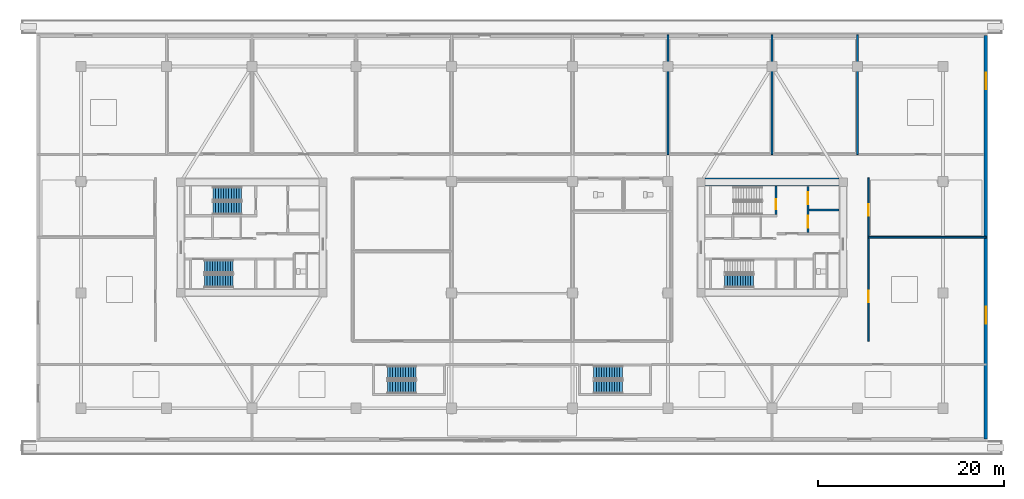
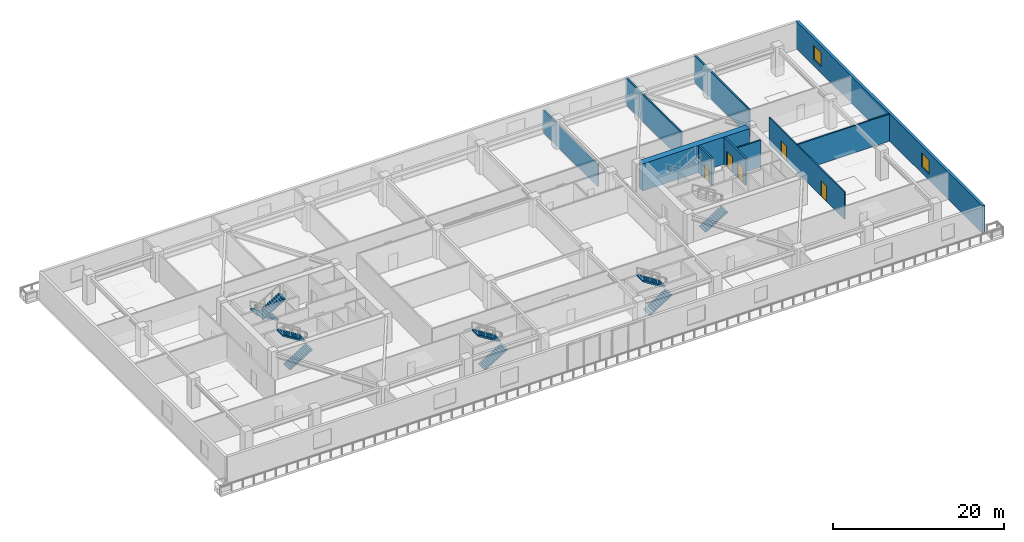
# One storey, part 12 of 23: 10 walls, 9 stair flights, 5 doors, 2 windows, 7 openings, 5 elements without a shape of their own.
"""IFC4 building model written with IfcOpenShell, lengths in metres."""

from ifc_helpers import new_model, si_unit, direction, frame, frame_2d, origin, place, context, subcontext, project, spatial, polyline, rectangle, outline, extrude, source, transform, mapped, material, layer, layer_set, type_object, type_shapes, element, fill, aggregate, save


model = new_model("IFC4")

# Units and contexts
model_context = context("Model", 3, precision=1e-05, world=origin(), true_north=direction((0.0, 1.0)))
body_context = subcontext(model_context, "Body", "Model", "MODEL_VIEW")
ifc_project = project(units=[si_unit("LENGTHUNIT", "METRE"), si_unit("AREAUNIT", "SQUARE_METRE"), si_unit("VOLUMEUNIT", "CUBIC_METRE"), si_unit("PLANEANGLEUNIT", "RADIAN"), si_unit("MASSUNIT", "GRAM", prefix="KILO")], contexts=[model_context])

# Site, building, storey
site_placement = place(None, origin())
site = spatial("IfcSite", under=ifc_project, at=site_placement, CompositionType="ELEMENT")
building_placement = place(site_placement, origin())
building = spatial("IfcBuilding", under=site, at=building_placement, Name="Norrkilde Senior Care Towers", CompositionType="ELEMENT")
storey_placement = place(building_placement, frame((0.0, 0.0, 8.39990234375)))
storey = spatial("IfcBuildingStorey", under=building, at=storey_placement, Name="L02", CompositionType="ELEMENT", Elevation=8.39990234375)

# Wall
ifc_material_1 = material(Name="Concrete C60/75", Category="concrete")
ifc_layer_1 = layer(ifc_material_1, 0.85009765625)
ifc_layer_set_1 = layer_set([ifc_layer_1], Name="Concrete C60/75")
wall_type_1 = type_object("IfcWallType", Name="Core Shear Wall Z1 850", PredefinedType="SHEAR", material=ifc_layer_set_1)
shared_shape_1 = source(origin(), body_context, "Body", "SweptSolid", [
    extrude(rectangle(XDim=14.39990234375, YDim=0.85009765625, at=frame_2d((7.199951171875, 0.0))), origin(), (0.0, 0.0, 1.0), 3.880126953125),
])
type_shapes(wall_type_1, [shared_shape_1])
wall_1_placement = place(storey_placement, frame((20.800048828125, 5.949951171875, 0.0), z_axis=(0.0, 0.0, 1.0), x_axis=(1.0, 0.0, 0.0)))
element("IfcWall", 1, at=wall_1_placement, inside=storey, type_object=wall_type_1, Name="L02 Core E North Shear Wall", PredefinedType="SHEAR", context=body_context, shape_type="MappedRepresentation", body=[
    mapped(shared_shape_1, transform((0.0, 0.0, 0.0), x_axis=(1.0, 0.0, 0.0), y_axis=(0.0, 1.0, 0.0), z_axis=(0.0, 0.0, 1.0), scale=1.0)),
])

# Wall, openings, windows
ifc_material_2 = material(Name="Precast concrete C45/55", Category="concrete")
ifc_layer_2 = layer(ifc_material_2, 0.360107421875)
ifc_layer_set_2 = layer_set([ifc_layer_2], Name="Precast concrete C45/55")
wall_type_2 = type_object("IfcWallType", Name="Podium Facade Wall 360", PredefinedType="SOLIDWALL", material=ifc_layer_set_2)
shared_shape_2 = source(origin(), body_context, "Body", "SweptSolid", [
    extrude(rectangle(XDim=43.43994140625, YDim=0.360107421875, at=frame_2d((21.719970703125, 0.0))), origin(), (0.0, 0.0, 1.0), 3.880126953125),
])
type_shapes(wall_type_2, [shared_shape_2])
wall_2_placement = place(storey_placement, frame((51.02001953125, 21.719970703125, 0.0), z_axis=(0.0, 0.0, 1.0), x_axis=(0.0, -1.0, 0.0)))
wall_2 = element("IfcWall", 2, at=wall_2_placement, inside=storey, type_object=wall_type_2, Name="L02 Podium E Facade Wall", PredefinedType="SOLIDWALL", context=body_context, shape_type="MappedRepresentation", body=[
    mapped(shared_shape_2, transform((0.0, 0.0, 0.0), x_axis=(1.0, 0.0, 0.0), y_axis=(0.0, 1.0, 0.0), z_axis=(0.0, 0.0, 1.0), scale=1.0)),
])
opening_1_placement = place(wall_2_placement, frame((4.0, 0.0, 0.89990234375)))
opening_1 = element("IfcOpeningElement", 3, at=opening_1_placement, cuts=wall_2, Name="Opening WN-03", PredefinedType="OPENING", context=body_context, shape_type="SweptSolid", body=[
    extrude(rectangle(XDim=1.800048828125, YDim=2.0, at=frame_2d((0.89990234375, 1.0))), frame((0.0, 0.18994140625, 0.0), z_axis=(0.0, -1.0, 0.0), x_axis=(1.0, 0.0, 0.0)), (0.0, 0.0, 1.0), 0.380126953125),
])
opening_2_placement = place(wall_2_placement, frame((29.199951171875, 0.0, 0.89990234375)))
opening_2 = element("IfcOpeningElement", 4, at=opening_2_placement, cuts=wall_2, Name="Opening WN-03", PredefinedType="OPENING", context=body_context, shape_type="SweptSolid", body=[
    extrude(rectangle(XDim=1.800048828125, YDim=2.0, at=frame_2d((0.89990234375, 1.0))), frame((0.0, 0.18994140625, 0.0), z_axis=(0.0, -1.0, 0.0), x_axis=(1.0, 0.0, 0.0)), (0.0, 0.0, 1.0), 0.380126953125),
])
ifc_material_3 = material(Name="Triple Low-E Insulated Glazing", Category="glass")
window_type = type_object("IfcWindowType", Name="Podium Therapy Garden Window 1800x2000", PartitioningType="SINGLE_PANEL", PredefinedType="WINDOW", material=ifc_material_3)
shared_shape_3 = source(origin(), body_context, "Body", "SweptSolid", [
    extrude(rectangle(XDim=1.800048828125, YDim=2.0, at=frame_2d((0.89990234375, 1.0))), frame((0.0, 0.030029296875, 0.0), z_axis=(0.0, -1.0, 0.0), x_axis=(1.0, 0.0, 0.0)), (0.0, 0.0, 1.0), 0.06005859375),
])
type_shapes(window_type, [shared_shape_3])
window_1_placement = place(opening_1_placement, origin())
window_1 = element("IfcWindow", 5, at=window_1_placement, inside=storey, type_object=window_type, Name="L02 E Window 01", OverallHeight=2.0, OverallWidth=1.800048828125, PartitioningType="SINGLE_PANEL", PredefinedType="WINDOW", context=body_context, shape_type="MappedRepresentation", body=[
    mapped(shared_shape_3, transform((0.0, 0.0, 0.0), x_axis=(1.0, 0.0, 0.0), y_axis=(0.0, 1.0, 0.0), z_axis=(0.0, 0.0, 1.0), scale=1.0)),
])
fill(opening_1, window_1)
window_2_placement = place(opening_2_placement, origin())
window_2 = element("IfcWindow", 6, at=window_2_placement, inside=storey, type_object=window_type, Name="L02 E Window 04", OverallHeight=2.0, OverallWidth=1.800048828125, PartitioningType="SINGLE_PANEL", PredefinedType="WINDOW", context=body_context, shape_type="MappedRepresentation", body=[
    mapped(shared_shape_3, transform((0.0, 0.0, 0.0), x_axis=(1.0, 0.0, 0.0), y_axis=(0.0, 1.0, 0.0), z_axis=(0.0, 0.0, 1.0), scale=1.0)),
])
fill(opening_2, window_2)

# Wall, openings, doors
ifc_material_4 = material(Name="Concrete C45/55", Category="concrete")
ifc_layer_3 = layer(ifc_material_4, 0.239990234375)
ifc_layer_set_3 = layer_set([ifc_layer_3], Name="Concrete C45/55")
wall_type_3 = type_object("IfcWallType", Name="Lift and Plant Rated Enclosure Partition 240", PredefinedType="PARTITIONING", material=ifc_layer_set_3)
shared_shape_4 = source(origin(), body_context, "Body", "SweptSolid", [
    extrude(rectangle(XDim=5.0, YDim=0.239990234375, at=frame_2d((2.5, 0.0))), origin(), (0.0, 0.0, 1.0), 3.864990234375),
])
type_shapes(wall_type_3, [shared_shape_4])
wall_3_placement = place(storey_placement, frame((31.860107421875, 0.5, 0.0), z_axis=(0.0, 0.0, 1.0), x_axis=(0.0, 1.0, 0.0)))
wall_3 = element("IfcWall", 7, at=wall_3_placement, inside=storey, type_object=wall_type_3, Name="WL-INT-L02-E-FFLE", PredefinedType="PARTITIONING", context=body_context, shape_type="MappedRepresentation", body=[
    mapped(shared_shape_4, transform((0.0, 0.0, 0.0), x_axis=(1.0, 0.0, 0.0), y_axis=(0.0, 1.0, 0.0), z_axis=(0.0, 0.0, 1.0), scale=1.0)),
])
opening_3_placement = place(wall_3_placement, frame((3.050048828125, 0.0, 0.0)))
opening_3 = element("IfcOpeningElement", 8, at=opening_3_placement, cuts=wall_3, Name="Opening LD-02", PredefinedType="OPENING", context=body_context, shape_type="SweptSolid", body=[
    extrude(rectangle(XDim=1.300048828125, YDim=2.199951171875, at=frame_2d((0.64990234375, 1.10009765625))), frame((0.0, 0.1298828125, 0.0), z_axis=(0.0, -1.0, 0.0), x_axis=(1.0, 0.0, 0.0)), (0.0, 0.0, 1.0), 0.260009765625),
])
opening_4_placement = place(wall_3_placement, frame((0.550048828125, 0.0, 0.0)))
opening_4 = element("IfcOpeningElement", 9, at=opening_4_placement, cuts=wall_3, Name="Opening LD-02", PredefinedType="OPENING", context=body_context, shape_type="SweptSolid", body=[
    extrude(rectangle(XDim=1.300048828125, YDim=2.199951171875, at=frame_2d((0.64990234375, 1.10009765625))), frame((0.0, 0.1298828125, 0.0), z_axis=(0.0, -1.0, 0.0), x_axis=(1.0, 0.0, 0.0)), (0.0, 0.0, 1.0), 0.260009765625),
])
ifc_material_5 = material(Name="Stainless Steel", Category="steel")
door_type_1 = type_object("IfcDoorType", Name="Stretcher and FFL Landing Sliding Door 1300x2200", OperationType="NOTDEFINED", PredefinedType="DOOR", material=ifc_material_5)
shared_shape_5 = source(origin(), body_context, "Body", "SweptSolid", [
    extrude(rectangle(XDim=1.300048828125, YDim=2.199951171875, at=frame_2d((0.64990234375, 1.10009765625))), frame((0.0, 0.02490234375, 0.0), z_axis=(0.0, -1.0, 0.0), x_axis=(1.0, 0.0, 0.0)), (0.0, 0.0, 1.0), 0.050048828125),
])
type_shapes(door_type_1, [shared_shape_5])
door_1_placement = place(opening_3_placement, origin())
door_1 = element("IfcDoor", 10, at=door_1_placement, inside=storey, type_object=door_type_1, Name="L02 Firefighting Lift E1 Landing Door", OperationType="SLIDING_TO_LEFT", OverallHeight=2.199951171875, OverallWidth=1.300048828125, PredefinedType="DOOR", context=body_context, shape_type="MappedRepresentation", body=[
    mapped(shared_shape_5, transform((0.0, 0.0, 0.0), x_axis=(1.0, 0.0, 0.0), y_axis=(0.0, 1.0, 0.0), z_axis=(0.0, 0.0, 1.0), scale=1.0)),
])
fill(opening_3, door_1)
door_2_placement = place(opening_4_placement, origin())
door_2 = element("IfcDoor", 11, at=door_2_placement, inside=storey, type_object=door_type_1, Name="L02 Stretcher Lift E1 Landing Door", OperationType="SLIDING_TO_RIGHT", OverallHeight=2.199951171875, OverallWidth=1.300048828125, PredefinedType="DOOR", context=body_context, shape_type="MappedRepresentation", body=[
    mapped(shared_shape_5, transform((0.0, 0.0, 0.0), x_axis=(1.0, 0.0, 0.0), y_axis=(0.0, 1.0, 0.0), z_axis=(0.0, 0.0, 1.0), scale=1.0)),
])
fill(opening_4, door_2)

# Wall
ifc_layer_4 = layer(ifc_material_4, 0.199951171875)
ifc_layer_set_4 = layer_set([ifc_layer_4], Name="Concrete C45/55")
wall_type_4 = type_object("IfcWallType", Name="Shaft Division and Plant Partition 200", PredefinedType="PARTITIONING", material=ifc_layer_set_4)
shared_shape_6 = source(origin(), body_context, "Body", "SweptSolid", [
    extrude(rectangle(XDim=3.199951171875, YDim=0.199951171875, at=frame_2d((1.60009765625, 0.0))), origin(), (0.0, 0.0, 1.0), 3.864990234375),
])
type_shapes(wall_type_4, [shared_shape_6])
wall_4_placement = place(storey_placement, frame((32.0, 2.949951171875, 0.0), z_axis=(0.0, 0.0, 1.0), x_axis=(1.0, 0.0, 0.0)))
element("IfcWall", 12, at=wall_4_placement, inside=storey, type_object=wall_type_4, Name="WL-INT-L02-E-FFLDIV", PredefinedType="PARTITIONING", context=body_context, shape_type="MappedRepresentation", body=[
    mapped(shared_shape_6, transform((0.0, 0.0, 0.0), x_axis=(1.0, 0.0, 0.0), y_axis=(0.0, 1.0, 0.0), z_axis=(0.0, 0.0, 1.0), scale=1.0)),
])

# Wall, openings, doors
ifc_material_6 = material(Name="Gypsum Acoustic Board")
ifc_layer_5 = layer(ifc_material_6, 0.1650390625)
ifc_layer_set_5 = layer_set([ifc_layer_5], Name="Gypsum Acoustic Board")
wall_type_5 = type_object("IfcWallType", Name="Corridor Rated Partition 165", PredefinedType="PARTITIONING", material=ifc_layer_set_5)
shared_shape_7 = source(origin(), body_context, "Body", "SweptSolid", [
    extrude(rectangle(XDim=17.599853515625, YDim=0.1650390625, at=frame_2d((8.7998046875, 0.0))), origin(), (0.0, 0.0, 1.0), 3.864990234375),
])
type_shapes(wall_type_5, [shared_shape_7])
wall_5_placement = place(storey_placement, frame((38.39990234375, -11.199951171875, 0.0), z_axis=(0.0, 0.0, 1.0), x_axis=(0.0, 1.0, 0.0)))
wall_5 = element("IfcWall", 13, at=wall_5_placement, inside=storey, type_object=wall_type_5, Name="WL-INT-L02-POD-OE", PredefinedType="PARTITIONING", context=body_context, shape_type="MappedRepresentation", body=[
    mapped(shared_shape_7, transform((0.0, 0.0, 0.0), x_axis=(1.0, 0.0, 0.0), y_axis=(0.0, 1.0, 0.0), z_axis=(0.0, 0.0, 1.0), scale=1.0)),
])
opening_5_placement = place(wall_5_placement, frame((4.199951171875, 0.0, 0.0)))
opening_5 = element("IfcOpeningElement", 14, at=opening_5_placement, cuts=wall_5, Name="Opening D-05", PredefinedType="OPENING", context=body_context, shape_type="SweptSolid", body=[
    extrude(rectangle(XDim=1.25, YDim=2.199951171875, at=frame_2d((0.625, 1.10009765625))), frame((0.0, 0.092529296875, 0.0), z_axis=(0.0, -1.0, 0.0), x_axis=(1.0, 0.0, 0.0)), (0.0, 0.0, 1.0), 0.18505859375),
])
opening_6_placement = place(wall_5_placement, frame((13.5, 0.0, 0.0)))
opening_6 = element("IfcOpeningElement", 15, at=opening_6_placement, cuts=wall_5, Name="Opening D-05", PredefinedType="OPENING", context=body_context, shape_type="SweptSolid", body=[
    extrude(rectangle(XDim=1.25, YDim=2.199951171875, at=frame_2d((0.625, 1.10009765625))), frame((0.0, 0.092529296875, 0.0), z_axis=(0.0, -1.0, 0.0), x_axis=(1.0, 0.0, 0.0)), (0.0, 0.0, 1.0), 0.18505859375),
])
ifc_material_7 = material(Name="Nordic Ash Timber", Category="wood")
door_type_2 = type_object("IfcDoorType", Name="Care Bedroom Bariatric Door 1250x2200", OperationType="NOTDEFINED", PredefinedType="DOOR", material=ifc_material_7)
shared_shape_8 = source(origin(), body_context, "Body", "SweptSolid", [
    extrude(rectangle(XDim=1.25, YDim=2.199951171875, at=frame_2d((0.625, 1.10009765625))), frame((0.0, 0.02490234375, 0.0), z_axis=(0.0, -1.0, 0.0), x_axis=(1.0, 0.0, 0.0)), (0.0, 0.0, 1.0), 0.050048828125),
])
type_shapes(door_type_2, [shared_shape_8])
door_3_placement = place(opening_5_placement, origin())
door_3 = element("IfcDoor", 16, at=door_3_placement, inside=storey, type_object=door_type_2, Name="L02 Rehab Ward OE1 Door", OperationType="SINGLE_SWING_LEFT", OverallHeight=2.199951171875, OverallWidth=1.25, PredefinedType="DOOR", context=body_context, shape_type="MappedRepresentation", body=[
    mapped(shared_shape_8, transform((0.0, 0.0, 0.0), x_axis=(1.0, 0.0, 0.0), y_axis=(0.0, 1.0, 0.0), z_axis=(0.0, 0.0, 1.0), scale=1.0)),
])
fill(opening_5, door_3)
door_4_placement = place(opening_6_placement, origin())
door_4 = element("IfcDoor", 17, at=door_4_placement, inside=storey, type_object=door_type_2, Name="L02 Wellness Hall OE2 Door", OperationType="SINGLE_SWING_RIGHT", OverallHeight=2.199951171875, OverallWidth=1.25, PredefinedType="DOOR", context=body_context, shape_type="MappedRepresentation", body=[
    mapped(shared_shape_8, transform((0.0, 0.0, 0.0), x_axis=(1.0, 0.0, 0.0), y_axis=(0.0, 1.0, 0.0), z_axis=(0.0, 0.0, 1.0), scale=1.0)),
])
fill(opening_6, door_4)

# Wall, opening, door
ifc_layer_6 = layer(ifc_material_4, 0.239990234375)
ifc_layer_set_6 = layer_set([ifc_layer_6], Name="Concrete C45/55")
wall_type_6 = type_object("IfcWallType", Name="Shaft and Stair Enclosure Wall 240", PredefinedType="PARTITIONING", material=ifc_layer_set_6)
shared_shape_9 = source(origin(), body_context, "Body", "SweptSolid", [
    extrude(rectangle(XDim=3.074951171875, YDim=0.239990234375, at=frame_2d((1.53759765625, 0.0))), origin(), (0.0, 0.0, 1.0), 3.880126953125),
])
type_shapes(wall_type_6, [shared_shape_9])
wall_6_placement = place(storey_placement, frame((28.419921875, 2.449951171875, 0.0), z_axis=(0.0, 0.0, 1.0), x_axis=(0.0, 1.0, 0.0)))
wall_6 = element("IfcWall", 18, at=wall_6_placement, inside=storey, type_object=wall_type_6, Name="WL-INT-L02-E-ST1E", PredefinedType="PARTITIONING", context=body_context, shape_type="MappedRepresentation", body=[
    mapped(shared_shape_9, transform((0.0, 0.0, 0.0), x_axis=(1.0, 0.0, 0.0), y_axis=(0.0, 1.0, 0.0), z_axis=(0.0, 0.0, 1.0), scale=1.0)),
])
opening_7_placement = place(wall_6_placement, frame((0.550048828125, 0.0, 0.0)))
opening_7 = element("IfcOpeningElement", 19, at=opening_7_placement, cuts=wall_6, Name="Opening D-03", PredefinedType="OPENING", context=body_context, shape_type="SweptSolid", body=[
    extrude(rectangle(XDim=1.10009765625, YDim=2.14990234375, at=frame_2d((0.550048828125, 1.074951171875))), frame((0.0, 0.1298828125, 0.0), z_axis=(0.0, -1.0, 0.0), x_axis=(1.0, 0.0, 0.0)), (0.0, 0.0, 1.0), 0.260009765625),
])
ifc_material_8 = material(Name="Galvanised Painted Steel", Category="steel")
door_type_3 = type_object("IfcDoorType", Name="Stairwell Protected Fire Door 1100x2150", OperationType="NOTDEFINED", PredefinedType="DOOR", material=ifc_material_8)
shared_shape_10 = source(origin(), body_context, "Body", "SweptSolid", [
    extrude(rectangle(XDim=1.10009765625, YDim=2.14990234375, at=frame_2d((0.550048828125, 1.074951171875))), frame((0.0, 0.02490234375, 0.0), z_axis=(0.0, -1.0, 0.0), x_axis=(1.0, 0.0, 0.0)), (0.0, 0.0, 1.0), 0.050048828125),
])
type_shapes(door_type_3, [shared_shape_10])
door_5_placement = place(opening_7_placement, origin())
door_5 = element("IfcDoor", 20, at=door_5_placement, inside=storey, type_object=door_type_3, Name="L02 Stair E1 Fire Door", OperationType="SINGLE_SWING_LEFT", OverallHeight=2.14990234375, OverallWidth=1.10009765625, PredefinedType="DOOR", context=body_context, shape_type="MappedRepresentation", body=[
    mapped(shared_shape_10, transform((0.0, 0.0, 0.0), x_axis=(1.0, 0.0, 0.0), y_axis=(0.0, 1.0, 0.0), z_axis=(0.0, 0.0, 1.0), scale=1.0)),
])
fill(opening_7, door_5)

# Walls
ifc_layer_7 = layer(ifc_material_6, 0.18994140625)
ifc_layer_set_7 = layer_set([ifc_layer_7], Name="Gypsum Acoustic Board")
wall_type_7 = type_object("IfcWallType", Name="Unit Demising Acoustic Wall 190", PredefinedType="PARTITIONING", material=ifc_layer_set_7)
shared_shape_11 = source(origin(), body_context, "Body", "SweptSolid", [
    extrude(rectangle(XDim=12.650146484375, YDim=0.18994140625, at=frame_2d((6.3251953125, 0.0))), origin(), (0.0, 0.0, 1.0), 3.864990234375),
])
wall_7_placement = place(storey_placement, frame((38.39990234375, 0.0, 0.0), z_axis=(0.0, 0.0, 1.0), x_axis=(1.0, 0.0, 0.0)))
element("IfcWall", 21, at=wall_7_placement, inside=storey, type_object=wall_type_7, Name="WL-INT-L02-POD-OEH", PredefinedType="PARTITIONING", context=body_context, shape_type="MappedRepresentation", body=[
    mapped(shared_shape_11, transform((0.0, 0.0, 0.0), x_axis=(1.0, 0.0, 0.0), y_axis=(0.0, 1.0, 0.0), z_axis=(0.0, 0.0, 1.0), scale=1.0)),
])
shared_shape_12 = source(origin(), body_context, "Body", "SweptSolid", [
    extrude(rectangle(XDim=12.900146484375, YDim=0.18994140625, at=frame_2d((6.4501953125, 0.0))), origin(), (0.0, 0.0, 1.0), 3.864990234375),
])
for number, where, z_axis, x_axis, name in (
    (22, (28.0, 8.89990234375, 0.0), (0.0, 0.0, 1.0), (0.0, 1.0, 0.0), "WL-INT-L02-POD-NPV7"),
    (23, (37.199951171875, 8.89990234375, 0.0), (0.0, 0.0, 1.0), (0.0, 1.0, 0.0), "WL-INT-L02-POD-NPV8"),
):
    element("IfcWall", number, at=place(storey_placement, frame(where, z_axis=z_axis, x_axis=x_axis)), inside=storey, type_object=wall_type_7, Name=name, PredefinedType="PARTITIONING", context=body_context, shape_type="MappedRepresentation", body=[
        mapped(shared_shape_12, transform((0.0, 0.0, 0.0), x_axis=(1.0, 0.0, 0.0), y_axis=(0.0, 1.0, 0.0), z_axis=(0.0, 0.0, 1.0), scale=1.0)),
    ])
shared_shape_13 = source(origin(), body_context, "Body", "SweptSolid", [
    extrude(rectangle(XDim=12.900146484375, YDim=0.18994140625, at=frame_2d((6.4501953125, 0.0))), origin(), (0.0, 0.0, 1.0), 3.215087890625),
])
type_shapes(wall_type_7, [shared_shape_11, shared_shape_12, shared_shape_13])
wall_8_placement = place(storey_placement, frame((16.800048828125, 8.89990234375, 0.0), z_axis=(0.0, 0.0, 1.0), x_axis=(0.0, 1.0, 0.0)))
element("IfcWall", 24, at=wall_8_placement, inside=storey, type_object=wall_type_7, Name="WL-INT-L02-POD-NPV6", PredefinedType="PARTITIONING", context=body_context, shape_type="MappedRepresentation", body=[
    mapped(shared_shape_13, transform((0.0, 0.0, 0.0), x_axis=(1.0, 0.0, 0.0), y_axis=(0.0, 1.0, 0.0), z_axis=(0.0, 0.0, 1.0), scale=1.0)),
])

# Stair, stair flights
stair_type = type_object("IfcStairType", Name="Core Protected Dogleg Stair Podium 4200", PredefinedType="HALF_TURN_STAIR", material=ifc_material_4)
stair_1_placement = place(storey_placement, origin())
stair_1 = element("IfcStair", 25, at=stair_1_placement, inside=storey, type_object=stair_type, Name="L02 Protected Core Stair W1", PredefinedType="HALF_TURN_STAIR")
stair_flight_type = type_object("IfcStairFlightType", Name="Core Protected Dogleg Stair Podium 4200 Flight", PredefinedType="STRAIGHT", material=ifc_material_4)
stair_flight_1_placement = place(storey_placement, frame((-29.10009765625, 4.699951171875, 0.0), z_axis=(0.0, 0.0, 1.0), x_axis=(-1.0, 0.0, 0.0)))
stair_flight_1 = element("IfcStairFlight", 26, at=stair_flight_1_placement, type_object=stair_flight_type, Name="ST-W1 flight 1", NumberOfRisers=12, NumberOfTreads=11, PredefinedType="STRAIGHT", RiserHeight=0.175, TreadLength=0.28, context=body_context, shape_type="SweptSolid", body=[
    extrude(outline(polyline([(0.0, 0.0), (0.0, 0.175048828125), (0.280029296875, 0.175048828125), (0.280029296875, 0.35009765625), (0.56005859375, 0.35009765625), (0.56005859375, 0.52490234375), (0.840087890625, 0.52490234375), (0.840087890625, 0.699951171875), (1.1201171875, 0.699951171875), (1.1201171875, 0.875), (1.39990234375, 0.875), (1.39990234375, 1.050048828125), (1.679931640625, 1.050048828125), (1.679931640625, 1.22509765625), (1.9599609375, 1.22509765625), (1.9599609375, 1.39990234375), (2.239990234375, 1.39990234375), (2.239990234375, 1.574951171875), (2.52001953125, 1.574951171875), (2.52001953125, 1.75), (2.800048828125, 1.75), (2.800048828125, 1.925048828125), (3.080078125, 1.925048828125), (3.080078125, 2.10009765625), (3.080078125, 1.748291015625), (0.28271484375, 0.0), (0.0, 0.0)])), frame((0.0, 0.699951171875, 0.0), z_axis=(0.0, -1.0, 0.0), x_axis=(1.0, 0.0, 0.0)), (0.0, 0.0, 1.0), 1.39990234375),
])
stair_flight_2_placement = place(storey_placement, frame((-32.179931640625, 3.14990234375, 2.10009765625), z_axis=(0.0, 0.0, 1.0), x_axis=(1.0, 0.0, 0.0)))
stair_flight_2 = element("IfcStairFlight", 27, at=stair_flight_2_placement, type_object=stair_flight_type, Name="ST-W1 flight 2", NumberOfRisers=12, NumberOfTreads=11, PredefinedType="STRAIGHT", RiserHeight=0.175, TreadLength=0.28, context=body_context, shape_type="SweptSolid", body=[
    extrude(outline(polyline([(0.0, 0.0), (0.0, 0.175048828125), (0.280029296875, 0.175048828125), (0.280029296875, 0.35009765625), (0.56005859375, 0.35009765625), (0.56005859375, 0.52490234375), (0.840087890625, 0.52490234375), (0.840087890625, 0.699951171875), (1.1201171875, 0.699951171875), (1.1201171875, 0.875), (1.39990234375, 0.875), (1.39990234375, 1.050048828125), (1.679931640625, 1.050048828125), (1.679931640625, 1.22509765625), (1.9599609375, 1.22509765625), (1.9599609375, 1.39990234375), (2.239990234375, 1.39990234375), (2.239990234375, 1.574951171875), (2.52001953125, 1.574951171875), (2.52001953125, 1.75), (2.800048828125, 1.75), (2.800048828125, 1.925048828125), (3.080078125, 1.925048828125), (3.080078125, 2.10009765625), (3.080078125, 1.748291015625), (0.28271484375, 0.0), (0.0, 0.0)])), frame((0.0, 0.699951171875, 0.0), z_axis=(0.0, -1.0, 0.0), x_axis=(1.0, 0.0, 0.0)), (0.0, 0.0, 1.0), 1.39990234375),
])
aggregate(stair_1, [stair_flight_1, stair_flight_2])

stair_2_placement = place(storey_placement, origin())
stair_2 = element("IfcStair", 28, at=stair_2_placement, inside=storey, type_object=stair_type, Name="L02 Protected Core Stair W2", PredefinedType="HALF_TURN_STAIR")
stair_flight_3_placement = place(storey_placement, frame((-33.10009765625, -4.699951171875, 0.0), z_axis=(0.0, 0.0, 1.0), x_axis=(1.0, 0.0, 0.0)))
stair_flight_3 = element("IfcStairFlight", 29, at=stair_flight_3_placement, type_object=stair_flight_type, Name="ST-W2 flight 1", NumberOfRisers=12, NumberOfTreads=11, PredefinedType="STRAIGHT", RiserHeight=0.175, TreadLength=0.28, context=body_context, shape_type="SweptSolid", body=[
    extrude(outline(polyline([(0.0, 0.0), (0.0, 0.175048828125), (0.280029296875, 0.175048828125), (0.280029296875, 0.35009765625), (0.56005859375, 0.35009765625), (0.56005859375, 0.52490234375), (0.840087890625, 0.52490234375), (0.840087890625, 0.699951171875), (1.1201171875, 0.699951171875), (1.1201171875, 0.875), (1.39990234375, 0.875), (1.39990234375, 1.050048828125), (1.679931640625, 1.050048828125), (1.679931640625, 1.22509765625), (1.9599609375, 1.22509765625), (1.9599609375, 1.39990234375), (2.239990234375, 1.39990234375), (2.239990234375, 1.574951171875), (2.52001953125, 1.574951171875), (2.52001953125, 1.75), (2.800048828125, 1.75), (2.800048828125, 1.925048828125), (3.080078125, 1.925048828125), (3.080078125, 2.10009765625), (3.080078125, 1.748291015625), (0.28271484375, 0.0), (0.0, 0.0)])), frame((0.0, 0.699951171875, 0.0), z_axis=(0.0, -1.0, 0.0), x_axis=(1.0, 0.0, 0.0)), (0.0, 0.0, 1.0), 1.39990234375),
])
stair_flight_4_placement = place(storey_placement, frame((-30.02001953125, -3.14990234375, 2.10009765625), z_axis=(0.0, 0.0, 1.0), x_axis=(-1.0, 0.0, 0.0)))
stair_flight_4 = element("IfcStairFlight", 30, at=stair_flight_4_placement, type_object=stair_flight_type, Name="ST-W2 flight 2", NumberOfRisers=12, NumberOfTreads=11, PredefinedType="STRAIGHT", RiserHeight=0.175, TreadLength=0.28, context=body_context, shape_type="SweptSolid", body=[
    extrude(outline(polyline([(0.0, 0.0), (0.0, 0.175048828125), (0.280029296875, 0.175048828125), (0.280029296875, 0.35009765625), (0.56005859375, 0.35009765625), (0.56005859375, 0.52490234375), (0.840087890625, 0.52490234375), (0.840087890625, 0.699951171875), (1.1201171875, 0.699951171875), (1.1201171875, 0.875), (1.39990234375, 0.875), (1.39990234375, 1.050048828125), (1.679931640625, 1.050048828125), (1.679931640625, 1.22509765625), (1.9599609375, 1.22509765625), (1.9599609375, 1.39990234375), (2.239990234375, 1.39990234375), (2.239990234375, 1.574951171875), (2.52001953125, 1.574951171875), (2.52001953125, 1.75), (2.800048828125, 1.75), (2.800048828125, 1.925048828125), (3.080078125, 1.925048828125), (3.080078125, 2.10009765625), (3.080078125, 1.748291015625), (0.28271484375, 0.0), (0.0, 0.0)])), frame((0.0, 0.699951171875, 0.0), z_axis=(0.0, -1.0, 0.0), x_axis=(1.0, 0.0, 0.0)), (0.0, 0.0, 1.0), 1.39990234375),
])
aggregate(stair_2, [stair_flight_3, stair_flight_4])

# Stair, stair flight
stair_3_placement = place(storey_placement, origin())
stair_3 = element("IfcStair", 31, at=stair_3_placement, inside=storey, type_object=stair_type, Name="L02 Protected Core Stair E2", PredefinedType="HALF_TURN_STAIR")
stair_flight_5_placement = place(storey_placement, frame((22.89990234375, -4.699951171875, 0.0), z_axis=(0.0, 0.0, 1.0), x_axis=(1.0, 0.0, 0.0)))
stair_flight_5 = element("IfcStairFlight", 32, at=stair_flight_5_placement, type_object=stair_flight_type, Name="ST-E2 flight 1", NumberOfRisers=12, NumberOfTreads=11, PredefinedType="STRAIGHT", RiserHeight=0.175, TreadLength=0.28, context=body_context, shape_type="SweptSolid", body=[
    extrude(outline(polyline([(0.0, 0.0), (0.0, 0.175048828125), (0.280029296875, 0.175048828125), (0.280029296875, 0.35009765625), (0.56005859375, 0.35009765625), (0.56005859375, 0.52490234375), (0.840087890625, 0.52490234375), (0.840087890625, 0.699951171875), (1.1201171875, 0.699951171875), (1.1201171875, 0.875), (1.39990234375, 0.875), (1.39990234375, 1.050048828125), (1.679931640625, 1.050048828125), (1.679931640625, 1.22509765625), (1.9599609375, 1.22509765625), (1.9599609375, 1.39990234375), (2.239990234375, 1.39990234375), (2.239990234375, 1.574951171875), (2.52001953125, 1.574951171875), (2.52001953125, 1.75), (2.800048828125, 1.75), (2.800048828125, 1.925048828125), (3.080078125, 1.925048828125), (3.080078125, 2.10009765625), (3.080078125, 1.748291015625), (0.28271484375, 0.0), (0.0, 0.0)])), frame((0.0, 0.699951171875, 0.0), z_axis=(0.0, -1.0, 0.0), x_axis=(1.0, 0.0, 0.0)), (0.0, 0.0, 1.0), 1.39990234375),
])
aggregate(stair_3, [stair_flight_5])

# Stair, stair flights
stair_4_placement = place(storey_placement, origin())
stair_4 = element("IfcStair", 33, at=stair_4_placement, inside=storey, type_object=stair_type, Name="L02 Podium Clinic Exit Stair P1", PredefinedType="HALF_TURN_STAIR")
stair_flight_6_placement = place(storey_placement, frame((-13.39990234375, -16.10009765625, 0.0), z_axis=(0.0, 0.0, 1.0), x_axis=(1.0, 0.0, 0.0)))
stair_flight_6 = element("IfcStairFlight", 34, at=stair_flight_6_placement, type_object=stair_flight_type, Name="ST-P1 flight 1", NumberOfRisers=12, NumberOfTreads=11, PredefinedType="STRAIGHT", RiserHeight=0.175, TreadLength=0.28, context=body_context, shape_type="SweptSolid", body=[
    extrude(outline(polyline([(0.0, 0.0), (0.0, 0.175048828125), (0.280029296875, 0.175048828125), (0.280029296875, 0.35009765625), (0.56005859375, 0.35009765625), (0.56005859375, 0.52490234375), (0.840087890625, 0.52490234375), (0.840087890625, 0.699951171875), (1.1201171875, 0.699951171875), (1.1201171875, 0.875), (1.39990234375, 0.875), (1.39990234375, 1.050048828125), (1.679931640625, 1.050048828125), (1.679931640625, 1.22509765625), (1.9599609375, 1.22509765625), (1.9599609375, 1.39990234375), (2.239990234375, 1.39990234375), (2.239990234375, 1.574951171875), (2.52001953125, 1.574951171875), (2.52001953125, 1.75), (2.800048828125, 1.75), (2.800048828125, 1.925048828125), (3.080078125, 1.925048828125), (3.080078125, 2.10009765625), (3.080078125, 1.748291015625), (0.28271484375, 0.0), (0.0, 0.0)])), frame((0.0, 0.699951171875, 0.0), z_axis=(0.0, -1.0, 0.0), x_axis=(1.0, 0.0, 0.0)), (0.0, 0.0, 1.0), 1.39990234375),
])
stair_flight_7_placement = place(storey_placement, frame((-10.320068359375, -14.550048828125, 2.10009765625), z_axis=(0.0, 0.0, 1.0), x_axis=(-1.0, 0.0, 0.0)))
stair_flight_7 = element("IfcStairFlight", 35, at=stair_flight_7_placement, type_object=stair_flight_type, Name="ST-P1 flight 2", NumberOfRisers=12, NumberOfTreads=11, PredefinedType="STRAIGHT", RiserHeight=0.175, TreadLength=0.28, context=body_context, shape_type="SweptSolid", body=[
    extrude(outline(polyline([(0.0, 0.0), (0.0, 0.175048828125), (0.280029296875, 0.175048828125), (0.280029296875, 0.35009765625), (0.56005859375, 0.35009765625), (0.56005859375, 0.52490234375), (0.840087890625, 0.52490234375), (0.840087890625, 0.699951171875), (1.1201171875, 0.699951171875), (1.1201171875, 0.875), (1.39990234375, 0.875), (1.39990234375, 1.050048828125), (1.679931640625, 1.050048828125), (1.679931640625, 1.22509765625), (1.9599609375, 1.22509765625), (1.9599609375, 1.39990234375), (2.239990234375, 1.39990234375), (2.239990234375, 1.574951171875), (2.52001953125, 1.574951171875), (2.52001953125, 1.75), (2.800048828125, 1.75), (2.800048828125, 1.925048828125), (3.080078125, 1.925048828125), (3.080078125, 2.10009765625), (3.080078125, 1.748291015625), (0.28271484375, 0.0), (0.0, 0.0)])), frame((0.0, 0.699951171875, 0.0), z_axis=(0.0, -1.0, 0.0), x_axis=(1.0, 0.0, 0.0)), (0.0, 0.0, 1.0), 1.39990234375),
])
aggregate(stair_4, [stair_flight_6, stair_flight_7])

stair_5_placement = place(storey_placement, origin())
stair_5 = element("IfcStair", 36, at=stair_5_placement, inside=storey, type_object=stair_type, Name="L02 Podium Clinic Exit Stair P2", PredefinedType="HALF_TURN_STAIR")
stair_flight_8_placement = place(storey_placement, frame((8.800048828125, -16.10009765625, 0.0), z_axis=(0.0, 0.0, 1.0), x_axis=(1.0, 0.0, 0.0)))
stair_flight_8 = element("IfcStairFlight", 37, at=stair_flight_8_placement, type_object=stair_flight_type, Name="ST-P2 flight 1", NumberOfRisers=12, NumberOfTreads=11, PredefinedType="STRAIGHT", RiserHeight=0.175, TreadLength=0.28, context=body_context, shape_type="SweptSolid", body=[
    extrude(outline(polyline([(0.0, 0.0), (0.0, 0.175048828125), (0.280029296875, 0.175048828125), (0.280029296875, 0.35009765625), (0.56005859375, 0.35009765625), (0.56005859375, 0.52490234375), (0.840087890625, 0.52490234375), (0.840087890625, 0.699951171875), (1.1201171875, 0.699951171875), (1.1201171875, 0.875), (1.39990234375, 0.875), (1.39990234375, 1.050048828125), (1.679931640625, 1.050048828125), (1.679931640625, 1.22509765625), (1.9599609375, 1.22509765625), (1.9599609375, 1.39990234375), (2.239990234375, 1.39990234375), (2.239990234375, 1.574951171875), (2.52001953125, 1.574951171875), (2.52001953125, 1.75), (2.800048828125, 1.75), (2.800048828125, 1.925048828125), (3.080078125, 1.925048828125), (3.080078125, 2.10009765625), (3.080078125, 1.748291015625), (0.28271484375, 0.0), (0.0, 0.0)])), frame((0.0, 0.699951171875, 0.0), z_axis=(0.0, -1.0, 0.0), x_axis=(1.0, 0.0, 0.0)), (0.0, 0.0, 1.0), 1.39990234375),
])
stair_flight_9_placement = place(storey_placement, frame((11.8798828125, -14.550048828125, 2.10009765625), z_axis=(0.0, 0.0, 1.0), x_axis=(-1.0, 0.0, 0.0)))
stair_flight_9 = element("IfcStairFlight", 38, at=stair_flight_9_placement, type_object=stair_flight_type, Name="ST-P2 flight 2", NumberOfRisers=12, NumberOfTreads=11, PredefinedType="STRAIGHT", RiserHeight=0.175, TreadLength=0.28, context=body_context, shape_type="SweptSolid", body=[
    extrude(outline(polyline([(0.0, 0.0), (0.0, 0.175048828125), (0.280029296875, 0.175048828125), (0.280029296875, 0.35009765625), (0.56005859375, 0.35009765625), (0.56005859375, 0.52490234375), (0.840087890625, 0.52490234375), (0.840087890625, 0.699951171875), (1.1201171875, 0.699951171875), (1.1201171875, 0.875), (1.39990234375, 0.875), (1.39990234375, 1.050048828125), (1.679931640625, 1.050048828125), (1.679931640625, 1.22509765625), (1.9599609375, 1.22509765625), (1.9599609375, 1.39990234375), (2.239990234375, 1.39990234375), (2.239990234375, 1.574951171875), (2.52001953125, 1.574951171875), (2.52001953125, 1.75), (2.800048828125, 1.75), (2.800048828125, 1.925048828125), (3.080078125, 1.925048828125), (3.080078125, 2.10009765625), (3.080078125, 1.748291015625), (0.28271484375, 0.0), (0.0, 0.0)])), frame((0.0, 0.699951171875, 0.0), z_axis=(0.0, -1.0, 0.0), x_axis=(1.0, 0.0, 0.0)), (0.0, 0.0, 1.0), 1.39990234375),
])
aggregate(stair_5, [stair_flight_8, stair_flight_9])

save(model, "model.ifc")
